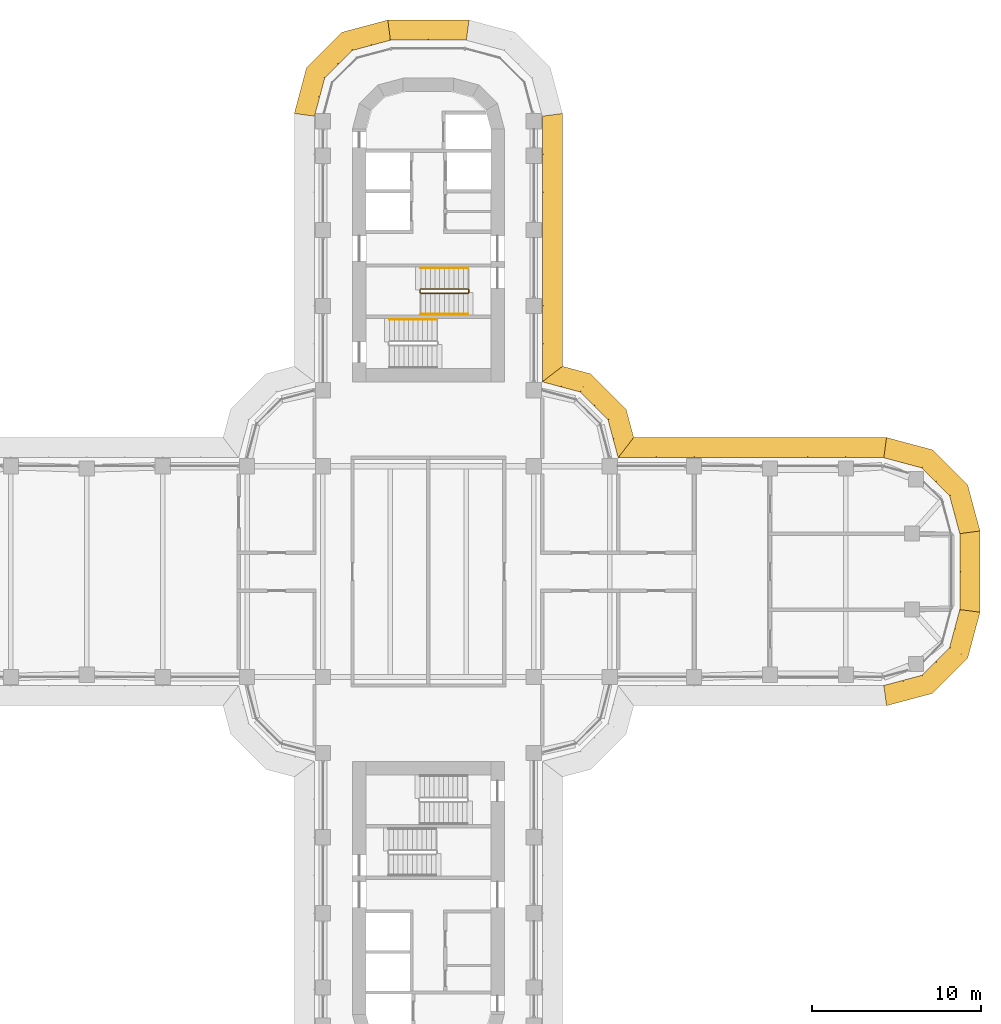
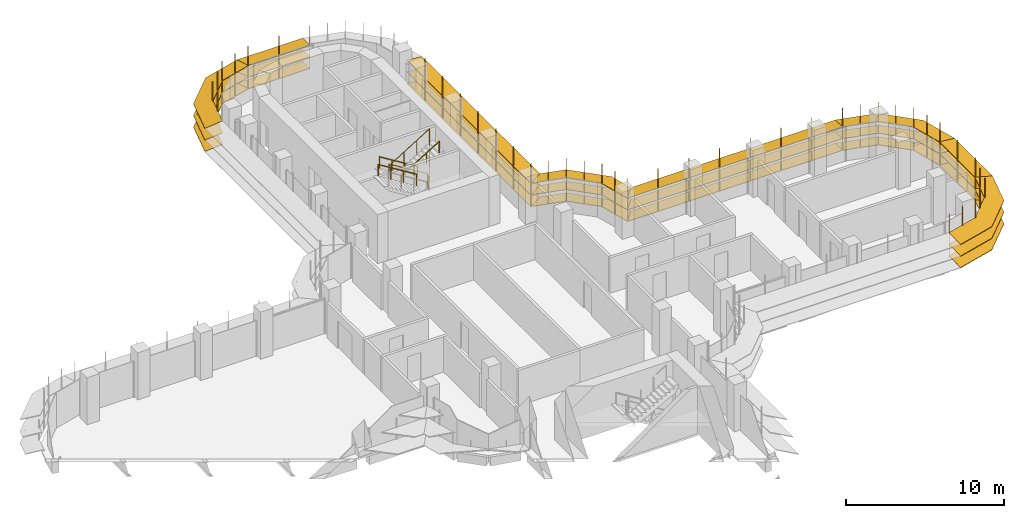
# One storey, part 20 of 21: 8 shading devices, 4 railings.
"""IFC4 building model written with IfcOpenShell, lengths in metres."""

from ifc_helpers import new_model, si_unit, direction, frame, origin, origin_2d, place, context, subcontext, project, spatial, polyline, circle, outline, extrude, faceted_brep, source, transform, mapped, material, type_object, element, save


model = new_model("IFC4")

# Units and contexts
model_context = context("Model", 3, precision=1e-05, world=origin(), true_north=direction((0.0, 1.0)))
body_context = subcontext(model_context, "Body", "Model", "MODEL_VIEW")
ifc_project = project(units=[si_unit("LENGTHUNIT", "METRE"), si_unit("AREAUNIT", "SQUARE_METRE"), si_unit("VOLUMEUNIT", "CUBIC_METRE"), si_unit("PLANEANGLEUNIT", "RADIAN"), si_unit("MASSUNIT", "GRAM", prefix="KILO")], contexts=[model_context])

# Site, building, storey
site_placement = place(None, origin())
site = spatial("IfcSite", under=ifc_project, at=site_placement, CompositionType="ELEMENT")
building_placement = place(site_placement, origin())
building = spatial("IfcBuilding", under=site, at=building_placement, Name="Zarbagh Exchange Tower", CompositionType="ELEMENT")
storey_placement = place(building_placement, frame((0.0, 0.0, 128.39990234375)))
storey = spatial("IfcBuildingStorey", under=building, at=storey_placement, Name="L30", CompositionType="ELEMENT", Elevation=128.39990234375)

# Railings
ifc_material_1 = material(Name="Stainless steel", Category="steel")
railing_type_1 = type_object("IfcRailingType", Name="Stair guard 1100 mm", PredefinedType="GUARDRAIL", material=ifc_material_1)
railing_1_placement = place(storey_placement, frame((-0.449951171875, 16.5, 2.07275390625)))
element("IfcRailing", 1, at=railing_1_placement, inside=storey, type_object=railing_type_1, Name="ST1 stair guard 1", PredefinedType="GUARDRAIL", context=body_context, shape_type="SweptSolid", body=[
    extrude(circle(Radius=0.02392578125, at=origin_2d()), frame((0.0, 0.0, 1.076171875), z_axis=(0.851089632645, 0.0, 0.525020415988), x_axis=(0.0, 1.0, 0.0)), (0.0, 0.0, 1.0), 3.2900390625),
    extrude(circle(Radius=0.02392578125, at=origin_2d()), frame((2.800048828125, 0.0, 2.80322265625), z_axis=(0.013104066473, 0.013168302093, -0.99982742474), x_axis=(-0.708833529934, 0.705375805398, 0.0)), (0.0, 0.0, 1.0), 3.80078125),
    extrude(circle(Radius=0.02392578125, at=origin_2d()), frame((2.849853515625, 0.050048828125, -0.99658203125), z_axis=(0.0, 1.0, 0.0), x_axis=(-1.0, 0.0, 0.0)), (0.0, 0.0, 1.0), 0.14990234375),
    extrude(circle(Radius=0.02392578125, at=origin_2d()), frame((2.849853515625, 0.199951171875, -0.99658203125), z_axis=(-0.266739603011, 0.268047150085, 0.925743328097), x_axis=(-0.708833529934, -0.705375805398, 0.0)), (0.0, 0.0, 1.0), 0.186767578125),
    extrude(circle(Radius=0.02392578125, at=origin_2d()), frame((2.800048828125, 0.25, -0.82373046875), z_axis=(-0.851089632645, 0.0, 0.525020415988), x_axis=(0.0, -1.0, 0.0)), (0.0, 0.0, 1.0), 3.2900390625),
    extrude(circle(Radius=0.02392578125, at=origin_2d()), frame((0.0, 0.25, 0.9033203125), z_axis=(-0.707106781187, -0.707106781187, 0.0), x_axis=(0.707106781187, -0.707106781187, 0.0)), (0.0, 0.0, 1.0), 0.07080078125),
    extrude(circle(Radius=0.02392578125, at=origin_2d()), frame((-0.050048828125, 0.199951171875, 0.9033203125), z_axis=(0.0, -1.0, 0.0), x_axis=(1.0, 0.0, 0.0)), (0.0, 0.0, 1.0), 0.14990234375),
    extrude(circle(Radius=0.02099609375, at=origin_2d()), origin(), (0.0, 0.0, 1.0), 1.052001953125),
    extrude(circle(Radius=0.02099609375, at=origin_2d()), frame((0.933349609375, 0.0, 0.57568359375)), (0.0, 0.0, 1.0), 1.052001953125),
    extrude(circle(Radius=0.02099609375, at=origin_2d()), frame((1.86669921875, 0.0, 1.151611328125)), (0.0, 0.0, 1.0), 1.052001953125),
    extrude(circle(Radius=0.02099609375, at=origin_2d()), frame((2.800048828125, 0.0, 1.727294921875)), (0.0, 0.0, 1.0), 1.052001953125),
    extrude(circle(Radius=0.02099609375, at=origin_2d()), frame((2.8125, 0.012451171875, 0.77734375)), (0.0, 0.0, 1.0), 1.052001953125),
    extrude(circle(Radius=0.02099609375, at=origin_2d()), frame((2.824951171875, 0.02490234375, -0.1728515625)), (0.0, 0.0, 1.0), 1.052001953125),
    extrude(circle(Radius=0.02099609375, at=origin_2d()), frame((2.83740234375, 0.03759765625, -1.122802734375)), (0.0, 0.0, 1.0), 1.052001953125),
    extrude(circle(Radius=0.02099609375, at=origin_2d()), frame((2.849853515625, 0.050048828125, -2.07275390625)), (0.0, 0.0, 1.0), 1.052001953125),
    extrude(circle(Radius=0.02099609375, at=origin_2d()), frame((2.849853515625, 0.199951171875, -2.07275390625)), (0.0, 0.0, 1.0), 1.052001953125),
    extrude(circle(Radius=0.02099609375, at=origin_2d()), frame((2.800048828125, 0.25, -1.89990234375)), (0.0, 0.0, 1.0), 1.052001953125),
    extrude(circle(Radius=0.02099609375, at=origin_2d()), frame((1.86669921875, 0.25, -1.32421875)), (0.0, 0.0, 1.0), 1.052001953125),
    extrude(circle(Radius=0.02099609375, at=origin_2d()), frame((0.933349609375, 0.25, -0.748291015625)), (0.0, 0.0, 1.0), 1.052001953125),
    extrude(circle(Radius=0.02099609375, at=origin_2d()), frame((0.0, 0.25, -0.172607421875)), (0.0, 0.0, 1.0), 1.052001953125),
    extrude(circle(Radius=0.02099609375, at=origin_2d()), frame((-0.050048828125, 0.199951171875, -0.172607421875)), (0.0, 0.0, 1.0), 1.052001953125),
    extrude(circle(Radius=0.02099609375, at=origin_2d()), frame((-0.050048828125, 0.050048828125, -0.172607421875)), (0.0, 0.0, 1.0), 1.052001953125),
])
railing_type_2 = type_object("IfcRailingType", Name="Stair handrail 900 mm", PredefinedType="HANDRAIL", material=ifc_material_1)
railing_2_placement = place(storey_placement, frame((2.35009765625, 18.0, 0.1728515625)))
element("IfcRailing", 2, at=railing_2_placement, inside=storey, type_object=railing_type_2, Name="ST1 stair handrail 1", PredefinedType="HANDRAIL", context=body_context, shape_type="SweptSolid", body=[
    extrude(circle(Radius=0.02392578125, at=origin_2d()), frame((0.0, 0.0, 0.8759765625), z_axis=(-0.851089632645, 0.0, 0.525020415988), x_axis=(0.0, -1.0, 0.0)), (0.0, 0.0, 1.0), 3.2900390625),
    extrude(circle(Radius=0.02099609375, at=origin_2d()), origin(), (0.0, 0.0, 1.0), 0.851806640625),
    extrude(circle(Radius=0.02099609375, at=origin_2d()), frame((-0.933349609375, 0.0, 0.57568359375)), (0.0, 0.0, 1.0), 0.851806640625),
    extrude(circle(Radius=0.02099609375, at=origin_2d()), frame((-1.86669921875, 0.0, 1.151611328125)), (0.0, 0.0, 1.0), 0.851806640625),
    extrude(circle(Radius=0.02099609375, at=origin_2d()), frame((-2.800048828125, 0.0, 1.727294921875)), (0.0, 0.0, 1.0), 0.851806640625),
])
railing_3_placement = place(storey_placement, frame((-0.449951171875, 15.25, 2.07275390625)))
element("IfcRailing", 3, at=railing_3_placement, inside=storey, type_object=railing_type_2, Name="ST1 stair handrail 2", PredefinedType="HANDRAIL", context=body_context, shape_type="SweptSolid", body=[
    extrude(circle(Radius=0.02392578125, at=origin_2d()), frame((0.0, 0.0, 0.8759765625), z_axis=(0.851089632645, 0.0, 0.525020415988), x_axis=(0.0, 1.0, 0.0)), (0.0, 0.0, 1.0), 3.2900390625),
    extrude(circle(Radius=0.02099609375, at=origin_2d()), origin(), (0.0, 0.0, 1.0), 0.851806640625),
    extrude(circle(Radius=0.02099609375, at=origin_2d()), frame((0.933349609375, 0.0, 0.57568359375)), (0.0, 0.0, 1.0), 0.851806640625),
    extrude(circle(Radius=0.02099609375, at=origin_2d()), frame((1.86669921875, 0.0, 1.151611328125)), (0.0, 0.0, 1.0), 0.851806640625),
    extrude(circle(Radius=0.02099609375, at=origin_2d()), frame((2.800048828125, 0.0, 1.727294921875)), (0.0, 0.0, 1.0), 0.851806640625),
])
railing_4_placement = place(storey_placement, frame((0.5, 14.949951171875, 2.07275390625)))
element("IfcRailing", 4, at=railing_4_placement, inside=storey, type_object=railing_type_2, Name="ST2 stair handrail 2", PredefinedType="HANDRAIL", context=body_context, shape_type="SweptSolid", body=[
    extrude(circle(Radius=0.02392578125, at=origin_2d()), frame((0.0, 0.0, 0.8759765625), z_axis=(-0.851089632645, 0.0, 0.525020415988), x_axis=(0.0, -1.0, 0.0)), (0.0, 0.0, 1.0), 3.2900390625),
    extrude(circle(Radius=0.02099609375, at=origin_2d()), origin(), (0.0, 0.0, 1.0), 0.851806640625),
    extrude(circle(Radius=0.02099609375, at=origin_2d()), frame((-0.933349609375, 0.0, 0.57568359375)), (0.0, 0.0, 1.0), 0.851806640625),
    extrude(circle(Radius=0.02099609375, at=origin_2d()), frame((-1.86669921875, 0.0, 1.151611328125)), (0.0, 0.0, 1.0), 0.851806640625),
    extrude(circle(Radius=0.02099609375, at=origin_2d()), frame((-2.800048828125, 0.0, 1.727294921875)), (0.0, 0.0, 1.0), 0.851806640625),
])

# Shading devices
ifc_material_2 = material(Name="Anodised aluminium blades and brackets", Category="aluminium")
shading_device_type = type_object("IfcShadingDeviceType", Name="SUNSHADE louvre band, 11.25 degree blades", PredefinedType="JALOUSIE", material=ifc_material_2)
shared_shape_1 = source(origin(), body_context, "Body", "Brep", [
    faceted_brep([(0.0, 0.0, 0.0), (0.0, 0.0, -0.040771484375), (-0.157958984375, -1.199951171875, -0.279541015625), (-0.157958984375, -1.199951171875, -0.23876953125), (2.65087890625, -1.199951171875, -0.23876953125), (2.65087890625, -1.199951171875, -0.279541015625), (2.329345703125, 0.0, -0.040771484375), (2.329345703125, 0.0, 0.0)], [[[0, 1, 2, 3]], [[4, 5, 6, 7]], [[0, 7, 6, 1]], [[1, 6, 5, 2]], [[2, 5, 4, 3]], [[3, 4, 7, 0]]]),
])
shared_shape_2 = source(origin(), body_context, "Body", "Brep", [
    faceted_brep([(0.0, 0.0, 0.0), (0.0, 0.0, -0.040771484375), (-0.321533203125, -1.199951171875, -0.279541015625), (-0.321533203125, -1.199951171875, -0.23876953125), (2.65087890625, -1.199951171875, -0.23876953125), (2.65087890625, -1.199951171875, -0.279541015625), (2.329345703125, 0.0, -0.040771484375), (2.329345703125, 0.0, 0.0)], [[[0, 1, 2, 3]], [[4, 5, 6, 7]], [[0, 7, 6, 1]], [[1, 6, 5, 2]], [[2, 5, 4, 3]], [[3, 4, 7, 0]]]),
])
shared_shape_3 = source(origin(), body_context, "Body", "Brep", [
    faceted_brep([(0.0, 0.0, 0.0), (0.0, 0.0, -0.040771484375), (-0.321533203125, -1.199951171875, -0.279541015625), (-0.321533203125, -1.199951171875, -0.23876953125), (2.4873046875, -1.199951171875, -0.23876953125), (2.4873046875, -1.199951171875, -0.279541015625), (2.329345703125, 0.0, -0.040771484375), (2.329345703125, 0.0, 0.0)], [[[0, 1, 2, 3]], [[4, 5, 6, 7]], [[0, 7, 6, 1]], [[1, 6, 5, 2]], [[2, 5, 4, 3]], [[3, 4, 7, 0]]]),
])
shared_shape_4 = source(origin(), body_context, "Body", "SweptSolid", [
    extrude(outline(polyline([(0.0, -0.012451171875), (0.06005859375, -0.012451171875), (0.06005859375, 0.012451171875), (0.0, 0.012451171875), (0.0, -0.012451171875)])), origin(), (0.0, 0.0, 1.0), 3.350830078125),
])
placement = place(storey_placement, origin())
element("IfcShadingDevice", 5, at=placement, inside=storey, type_object=shading_device_type, Name="SS31 sunshade band", PredefinedType="JALOUSIE", context=body_context, shape_type="MappedRepresentation", body=[
    mapped(shared_shape_1, transform((27.0, -6.75, 2.300048828125), x_axis=(0.965924289636, 0.258824779902, 0.0), y_axis=(-0.258824779902, 0.965924289636, 0.0), z_axis=(0.0, 0.0, 1.0))),
    mapped(shared_shape_1, transform((27.0, -6.75, 1.400146484375), x_axis=(0.965924289636, 0.258824779902, 0.0), y_axis=(-0.258824779902, 0.965924289636, 0.0), z_axis=(0.0, 0.0, 1.0))),
    mapped(shared_shape_1, transform((27.0, -6.75, 0.5), x_axis=(0.965924289636, 0.258824779902, 0.0), y_axis=(-0.258824779902, 0.965924289636, 0.0), z_axis=(0.0, 0.0, 1.0))),
    mapped(shared_shape_2, transform((29.25, -6.147216796875, 2.300048828125), x_axis=(0.707106781187, 0.707106781187, 0.0), y_axis=(-0.707106781187, 0.707106781187, 0.0), z_axis=(0.0, 0.0, 1.0))),
    mapped(shared_shape_2, transform((29.25, -6.147216796875, 1.400146484375), x_axis=(0.707106781187, 0.707106781187, 0.0), y_axis=(-0.707106781187, 0.707106781187, 0.0), z_axis=(0.0, 0.0, 1.0))),
    mapped(shared_shape_2, transform((29.25, -6.147216796875, 0.5), x_axis=(0.707106781187, 0.707106781187, 0.0), y_axis=(-0.707106781187, 0.707106781187, 0.0), z_axis=(0.0, 0.0, 1.0))),
    mapped(shared_shape_3, transform((30.897216796875, -4.5, 2.300048828125), x_axis=(0.258824779902, 0.965924289636, 0.0), y_axis=(-0.965924289636, 0.258824779902, 0.0), z_axis=(0.0, 0.0, 1.0))),
    mapped(shared_shape_3, transform((30.897216796875, -4.5, 1.400146484375), x_axis=(0.258824779902, 0.965924289636, 0.0), y_axis=(-0.965924289636, 0.258824779902, 0.0), z_axis=(0.0, 0.0, 1.0))),
    mapped(shared_shape_3, transform((30.897216796875, -4.5, 0.5), x_axis=(0.258824779902, 0.965924289636, 0.0), y_axis=(-0.965924289636, 0.258824779902, 0.0), z_axis=(0.0, 0.0, 1.0))),
    mapped(shared_shape_4, transform((27.0, -6.75, 0.42919921875), x_axis=(0.130529263012, -0.991444457092, 0.0), y_axis=(0.991444457092, 0.130529263012, 0.0), z_axis=(0.0, 0.0, 1.0))),
    mapped(shared_shape_4, transform((28.125, -6.448486328125, 0.42919921875), x_axis=(0.258825058029, -0.96592421511, 0.0), y_axis=(0.96592421511, 0.258825058029, 0.0), z_axis=(0.0, 0.0, 1.0))),
    mapped(shared_shape_4, transform((29.25, -6.147216796875, 0.42919921875), x_axis=(0.50000275701, -0.866023812018, 0.0), y_axis=(0.866023812018, 0.50000275701, 0.0), z_axis=(0.0, 0.0, 1.0))),
    mapped(shared_shape_4, transform((30.073486328125, -5.323486328125, 0.42919921875), x_axis=(0.707106781187, -0.707106781187, 0.0), y_axis=(0.707106781187, 0.707106781187, 0.0), z_axis=(0.0, 0.0, 1.0))),
    mapped(shared_shape_4, transform((30.897216796875, -4.5, 0.42919921875), x_axis=(0.866023812018, -0.50000275701, 0.0), y_axis=(0.50000275701, 0.866023812018, 0.0), z_axis=(0.0, 0.0, 1.0))),
    mapped(shared_shape_4, transform((31.198486328125, -3.375, 0.42919921875), x_axis=(0.96592421511, -0.258825058029, 0.0), y_axis=(0.258825058029, 0.96592421511, 0.0), z_axis=(0.0, 0.0, 1.0))),
])
element("IfcShadingDevice", 6, at=placement, inside=storey, type_object=shading_device_type, Name="SS33 sunshade band", PredefinedType="JALOUSIE", context=body_context, shape_type="MappedRepresentation", body=[
    mapped(shared_shape_1, transform((31.5, 2.25, 2.300048828125), x_axis=(-0.258824779902, 0.965924289636, 0.0), y_axis=(-0.965924289636, -0.258824779902, 0.0), z_axis=(0.0, 0.0, 1.0))),
    mapped(shared_shape_1, transform((31.5, 2.25, 1.400146484375), x_axis=(-0.258824779902, 0.965924289636, 0.0), y_axis=(-0.965924289636, -0.258824779902, 0.0), z_axis=(0.0, 0.0, 1.0))),
    mapped(shared_shape_1, transform((31.5, 2.25, 0.5), x_axis=(-0.258824779902, 0.965924289636, 0.0), y_axis=(-0.965924289636, -0.258824779902, 0.0), z_axis=(0.0, 0.0, 1.0))),
    mapped(shared_shape_2, transform((30.897216796875, 4.5, 2.300048828125), x_axis=(-0.707106781187, 0.707106781187, 0.0), y_axis=(-0.707106781187, -0.707106781187, 0.0), z_axis=(0.0, 0.0, 1.0))),
    mapped(shared_shape_2, transform((30.897216796875, 4.5, 1.400146484375), x_axis=(-0.707106781187, 0.707106781187, 0.0), y_axis=(-0.707106781187, -0.707106781187, 0.0), z_axis=(0.0, 0.0, 1.0))),
    mapped(shared_shape_2, transform((30.897216796875, 4.5, 0.5), x_axis=(-0.707106781187, 0.707106781187, 0.0), y_axis=(-0.707106781187, -0.707106781187, 0.0), z_axis=(0.0, 0.0, 1.0))),
    mapped(shared_shape_3, transform((29.25, 6.147216796875, 2.300048828125), x_axis=(-0.965924289636, 0.258824779902, 0.0), y_axis=(-0.258824779902, -0.965924289636, 0.0), z_axis=(0.0, 0.0, 1.0))),
    mapped(shared_shape_3, transform((29.25, 6.147216796875, 1.400146484375), x_axis=(-0.965924289636, 0.258824779902, 0.0), y_axis=(-0.258824779902, -0.965924289636, 0.0), z_axis=(0.0, 0.0, 1.0))),
    mapped(shared_shape_3, transform((29.25, 6.147216796875, 0.5), x_axis=(-0.965924289636, 0.258824779902, 0.0), y_axis=(-0.258824779902, -0.965924289636, 0.0), z_axis=(0.0, 0.0, 1.0))),
    mapped(shared_shape_4, transform((31.5, 2.25, 0.42919921875), x_axis=(0.991444457092, 0.130529263012, 0.0), y_axis=(-0.130529263012, 0.991444457092, 0.0), z_axis=(0.0, 0.0, 1.0))),
    mapped(shared_shape_4, transform((31.198486328125, 3.375, 0.42919921875), x_axis=(0.96592421511, 0.258825058029, 0.0), y_axis=(-0.258825058029, 0.96592421511, 0.0), z_axis=(0.0, 0.0, 1.0))),
    mapped(shared_shape_4, transform((30.897216796875, 4.5, 0.42919921875), x_axis=(0.866023812018, 0.50000275701, 0.0), y_axis=(-0.50000275701, 0.866023812018, 0.0), z_axis=(0.0, 0.0, 1.0))),
    mapped(shared_shape_4, transform((30.073486328125, 5.323486328125, 0.42919921875), x_axis=(0.707106781187, 0.707106781187, 0.0), y_axis=(-0.707106781187, 0.707106781187, 0.0), z_axis=(0.0, 0.0, 1.0))),
    mapped(shared_shape_4, transform((29.25, 6.147216796875, 0.42919921875), x_axis=(0.50000275701, 0.866023812018, 0.0), y_axis=(-0.866023812018, 0.50000275701, 0.0), z_axis=(0.0, 0.0, 1.0))),
    mapped(shared_shape_4, transform((28.125, 6.448486328125, 0.42919921875), x_axis=(0.258825058029, 0.96592421511, 0.0), y_axis=(-0.96592421511, 0.258825058029, 0.0), z_axis=(0.0, 0.0, 1.0))),
])
element("IfcShadingDevice", 7, at=placement, inside=storey, type_object=shading_device_type, Name="SS28 sunshade band", PredefinedType="JALOUSIE", context=body_context, shape_type="MappedRepresentation", body=[
    mapped(shared_shape_1, transform((-2.25, 31.5, 2.300048828125), x_axis=(-0.965924289636, -0.258824779902, 0.0), y_axis=(0.258824779902, -0.965924289636, 0.0), z_axis=(0.0, 0.0, 1.0))),
    mapped(shared_shape_1, transform((-2.25, 31.5, 1.400146484375), x_axis=(-0.965924289636, -0.258824779902, 0.0), y_axis=(0.258824779902, -0.965924289636, 0.0), z_axis=(0.0, 0.0, 1.0))),
    mapped(shared_shape_1, transform((-2.25, 31.5, 0.5), x_axis=(-0.965924289636, -0.258824779902, 0.0), y_axis=(0.258824779902, -0.965924289636, 0.0), z_axis=(0.0, 0.0, 1.0))),
    mapped(shared_shape_2, transform((-4.5, 30.897216796875, 2.300048828125), x_axis=(-0.707106781187, -0.707106781187, 0.0), y_axis=(0.707106781187, -0.707106781187, 0.0), z_axis=(0.0, 0.0, 1.0))),
    mapped(shared_shape_2, transform((-4.5, 30.897216796875, 1.400146484375), x_axis=(-0.707106781187, -0.707106781187, 0.0), y_axis=(0.707106781187, -0.707106781187, 0.0), z_axis=(0.0, 0.0, 1.0))),
    mapped(shared_shape_2, transform((-4.5, 30.897216796875, 0.5), x_axis=(-0.707106781187, -0.707106781187, 0.0), y_axis=(0.707106781187, -0.707106781187, 0.0), z_axis=(0.0, 0.0, 1.0))),
    mapped(shared_shape_3, transform((-6.147216796875, 29.25, 2.300048828125), x_axis=(-0.258824779902, -0.965924289636, 0.0), y_axis=(0.965924289636, -0.258824779902, 0.0), z_axis=(0.0, 0.0, 1.0))),
    mapped(shared_shape_3, transform((-6.147216796875, 29.25, 1.400146484375), x_axis=(-0.258824779902, -0.965924289636, 0.0), y_axis=(0.965924289636, -0.258824779902, 0.0), z_axis=(0.0, 0.0, 1.0))),
    mapped(shared_shape_3, transform((-6.147216796875, 29.25, 0.5), x_axis=(-0.258824779902, -0.965924289636, 0.0), y_axis=(0.965924289636, -0.258824779902, 0.0), z_axis=(0.0, 0.0, 1.0))),
    mapped(shared_shape_4, transform((-2.25, 31.5, 0.42919921875), x_axis=(-0.130529263012, 0.991444457092, 0.0), y_axis=(-0.991444457092, -0.130529263012, 0.0), z_axis=(0.0, 0.0, 1.0))),
    mapped(shared_shape_4, transform((-3.375, 31.198486328125, 0.42919921875), x_axis=(-0.258825058029, 0.96592421511, 0.0), y_axis=(-0.96592421511, -0.258825058029, 0.0), z_axis=(0.0, 0.0, 1.0))),
    mapped(shared_shape_4, transform((-4.5, 30.897216796875, 0.42919921875), x_axis=(-0.50000275701, 0.866023812018, 0.0), y_axis=(-0.866023812018, -0.50000275701, 0.0), z_axis=(0.0, 0.0, 1.0))),
    mapped(shared_shape_4, transform((-5.323486328125, 30.073486328125, 0.42919921875), x_axis=(-0.707106781187, 0.707106781187, 0.0), y_axis=(-0.707106781187, -0.707106781187, 0.0), z_axis=(0.0, 0.0, 1.0))),
    mapped(shared_shape_4, transform((-6.147216796875, 29.25, 0.42919921875), x_axis=(-0.866023812018, 0.50000275701, 0.0), y_axis=(-0.50000275701, -0.866023812018, 0.0), z_axis=(0.0, 0.0, 1.0))),
    mapped(shared_shape_4, transform((-6.448486328125, 28.125, 0.42919921875), x_axis=(-0.96592421511, 0.258825058029, 0.0), y_axis=(-0.258825058029, -0.96592421511, 0.0), z_axis=(0.0, 0.0, 1.0))),
])
shared_shape_5 = source(origin(), body_context, "Body", "Brep", [
    faceted_brep([(0.0, 0.0, 0.0), (0.0, 0.0, -0.040771484375), (0.9208984375, -1.199951171875, -0.279541015625), (0.9208984375, -1.199951171875, -0.23876953125), (2.65087890625, -1.199951171875, -0.23876953125), (2.65087890625, -1.199951171875, -0.279541015625), (2.329345703125, 0.0, -0.040771484375), (2.329345703125, 0.0, 0.0)], [[[0, 1, 2, 3]], [[4, 5, 6, 7]], [[0, 7, 6, 1]], [[1, 6, 5, 2]], [[2, 5, 4, 3]], [[3, 4, 7, 0]]]),
])
shared_shape_6 = source(origin(), body_context, "Body", "Brep", [
    faceted_brep([(0.0, 0.0, 0.0), (0.0, 0.0, -0.040771484375), (-0.321533203125, -1.199951171875, -0.279541015625), (-0.321533203125, -1.199951171875, -0.23876953125), (1.40869140625, -1.199951171875, -0.23876953125), (1.40869140625, -1.199951171875, -0.279541015625), (2.329345703125, 0.0, -0.040771484375), (2.329345703125, 0.0, 0.0)], [[[0, 1, 2, 3]], [[4, 5, 6, 7]], [[0, 7, 6, 1]], [[1, 6, 5, 2]], [[2, 5, 4, 3]], [[3, 4, 7, 0]]]),
])
element("IfcShadingDevice", 8, at=placement, inside=storey, type_object=shading_device_type, Name="SS09 sunshade band", PredefinedType="JALOUSIE", context=body_context, shape_type="MappedRepresentation", body=[
    mapped(shared_shape_5, transform((11.25, 6.75, 2.300048828125), x_axis=(-0.258824779902, 0.965924289636, 0.0), y_axis=(-0.965924289636, -0.258824779902, 0.0), z_axis=(0.0, 0.0, 1.0))),
    mapped(shared_shape_5, transform((11.25, 6.75, 1.400146484375), x_axis=(-0.258824779902, 0.965924289636, 0.0), y_axis=(-0.965924289636, -0.258824779902, 0.0), z_axis=(0.0, 0.0, 1.0))),
    mapped(shared_shape_5, transform((11.25, 6.75, 0.5), x_axis=(-0.258824779902, 0.965924289636, 0.0), y_axis=(-0.965924289636, -0.258824779902, 0.0), z_axis=(0.0, 0.0, 1.0))),
    mapped(shared_shape_2, transform((10.647216796875, 9.0, 2.300048828125), x_axis=(-0.707106781187, 0.707106781187, 0.0), y_axis=(-0.707106781187, -0.707106781187, 0.0), z_axis=(0.0, 0.0, 1.0))),
    mapped(shared_shape_2, transform((10.647216796875, 9.0, 1.400146484375), x_axis=(-0.707106781187, 0.707106781187, 0.0), y_axis=(-0.707106781187, -0.707106781187, 0.0), z_axis=(0.0, 0.0, 1.0))),
    mapped(shared_shape_2, transform((10.647216796875, 9.0, 0.5), x_axis=(-0.707106781187, 0.707106781187, 0.0), y_axis=(-0.707106781187, -0.707106781187, 0.0), z_axis=(0.0, 0.0, 1.0))),
    mapped(shared_shape_6, transform((9.0, 10.647216796875, 2.300048828125), x_axis=(-0.965924289636, 0.258824779902, 0.0), y_axis=(-0.258824779902, -0.965924289636, 0.0), z_axis=(0.0, 0.0, 1.0))),
    mapped(shared_shape_6, transform((9.0, 10.647216796875, 1.400146484375), x_axis=(-0.965924289636, 0.258824779902, 0.0), y_axis=(-0.258824779902, -0.965924289636, 0.0), z_axis=(0.0, 0.0, 1.0))),
    mapped(shared_shape_6, transform((9.0, 10.647216796875, 0.5), x_axis=(-0.965924289636, 0.258824779902, 0.0), y_axis=(-0.258824779902, -0.965924289636, 0.0), z_axis=(0.0, 0.0, 1.0))),
    mapped(shared_shape_4, transform((11.25, 6.75, 0.42919921875), x_axis=(0.608758892, 0.793355287, 0.0), y_axis=(-0.793355287, 0.608758892, 0.0), z_axis=(0.0, 0.0, 1.0))),
    mapped(shared_shape_4, transform((10.948486328125, 7.875, 0.42919921875), x_axis=(0.96592421511, 0.258825058029, 0.0), y_axis=(-0.258825058029, 0.96592421511, 0.0), z_axis=(0.0, 0.0, 1.0))),
    mapped(shared_shape_4, transform((10.647216796875, 9.0, 0.42919921875), x_axis=(0.866023812018, 0.50000275701, 0.0), y_axis=(-0.50000275701, 0.866023812018, 0.0), z_axis=(0.0, 0.0, 1.0))),
    mapped(shared_shape_4, transform((9.823486328125, 9.823486328125, 0.42919921875), x_axis=(0.707106781187, 0.707106781187, 0.0), y_axis=(-0.707106781187, 0.707106781187, 0.0), z_axis=(0.0, 0.0, 1.0))),
    mapped(shared_shape_4, transform((9.0, 10.647216796875, 0.42919921875), x_axis=(0.50000275701, 0.866023812018, 0.0), y_axis=(-0.866023812018, 0.50000275701, 0.0), z_axis=(0.0, 0.0, 1.0))),
    mapped(shared_shape_4, transform((7.875, 10.948486328125, 0.42919921875), x_axis=(0.258825058029, 0.96592421511, 0.0), y_axis=(-0.96592421511, 0.258825058029, 0.0), z_axis=(0.0, 0.0, 1.0))),
])
shared_shape_7 = source(origin(), body_context, "Body", "Brep", [
    faceted_brep([(0.0, 0.0, 0.0), (0.0, 0.0, -0.040771484375), (-0.157958984375, -1.199951171875, -0.279541015625), (-0.157958984375, -1.199951171875, -0.23876953125), (4.657958984375, -1.199951171875, -0.23876953125), (4.657958984375, -1.199951171875, -0.279541015625), (4.5, 0.0, -0.040771484375), (4.5, 0.0, 0.0)], [[[0, 1, 2, 3]], [[4, 5, 6, 7]], [[0, 7, 6, 1]], [[1, 6, 5, 2]], [[2, 5, 4, 3]], [[3, 4, 7, 0]]]),
])
element("IfcShadingDevice", 9, at=placement, inside=storey, type_object=shading_device_type, Name="SS32 sunshade band", PredefinedType="JALOUSIE", context=body_context, shape_type="MappedRepresentation", body=[
    mapped(shared_shape_7, transform((31.5, -2.25, 2.300048828125), x_axis=(0.0, 1.0, 0.0), y_axis=(-1.0, 0.0, 0.0), z_axis=(0.0, 0.0, 1.0))),
    mapped(shared_shape_7, transform((31.5, -2.25, 1.400146484375), x_axis=(0.0, 1.0, 0.0), y_axis=(-1.0, 0.0, 0.0), z_axis=(0.0, 0.0, 1.0))),
    mapped(shared_shape_7, transform((31.5, -2.25, 0.5), x_axis=(0.0, 1.0, 0.0), y_axis=(-1.0, 0.0, 0.0), z_axis=(0.0, 0.0, 1.0))),
    mapped(shared_shape_4, transform((31.5, -2.25, 0.42919921875), x_axis=(0.991444457092, -0.130529263012, 0.0), y_axis=(0.130529263012, 0.991444457092, 0.0), z_axis=(0.0, 0.0, 1.0))),
    mapped(shared_shape_4, transform((31.5, 0.0, 0.42919921875), x_axis=(1.0, 0.0, 0.0), y_axis=(0.0, 1.0, 0.0), z_axis=(0.0, 0.0, 1.0))),
])
shared_shape_8 = source(origin(), body_context, "Body", "Brep", [
    faceted_brep([(0.0, 0.0, 0.0), (0.0, 0.0, -0.040771484375), (-0.157958984375, -1.199951171875, -0.279541015625), (-0.157958984375, -1.199951171875, -0.23876953125), (14.8291015625, -1.199951171875, -0.23876953125), (14.8291015625, -1.199951171875, -0.279541015625), (15.75, 0.0, -0.040771484375), (15.75, 0.0, 0.0)], [[[0, 1, 2, 3]], [[4, 5, 6, 7]], [[0, 7, 6, 1]], [[1, 6, 5, 2]], [[2, 5, 4, 3]], [[3, 4, 7, 0]]]),
])
element("IfcShadingDevice", 10, at=placement, inside=storey, type_object=shading_device_type, Name="SS34 sunshade band", PredefinedType="JALOUSIE", context=body_context, shape_type="MappedRepresentation", body=[
    mapped(shared_shape_8, transform((27.0, 6.75, 2.300048828125), x_axis=(-1.0, 0.0, 0.0), y_axis=(0.0, -1.0, 0.0), z_axis=(0.0, 0.0, 1.0))),
    mapped(shared_shape_8, transform((27.0, 6.75, 1.400146484375), x_axis=(-1.0, 0.0, 0.0), y_axis=(0.0, -1.0, 0.0), z_axis=(0.0, 0.0, 1.0))),
    mapped(shared_shape_8, transform((27.0, 6.75, 0.5), x_axis=(-1.0, 0.0, 0.0), y_axis=(0.0, -1.0, 0.0), z_axis=(0.0, 0.0, 1.0))),
    mapped(shared_shape_4, transform((27.0, 6.75, 0.42919921875), x_axis=(0.130529263012, 0.991444457092, 0.0), y_axis=(-0.991444457092, 0.130529263012, 0.0), z_axis=(0.0, 0.0, 1.0))),
    mapped(shared_shape_4, transform((24.75, 6.75, 0.42919921875), x_axis=(0.0, 1.0, 0.0), y_axis=(-1.0, 0.0, 0.0), z_axis=(0.0, 0.0, 1.0))),
    mapped(shared_shape_4, transform((22.5, 6.75, 0.42919921875), x_axis=(0.0, 1.0, 0.0), y_axis=(-1.0, 0.0, 0.0), z_axis=(0.0, 0.0, 1.0))),
    mapped(shared_shape_4, transform((20.25, 6.75, 0.42919921875), x_axis=(0.0, 1.0, 0.0), y_axis=(-1.0, 0.0, 0.0), z_axis=(0.0, 0.0, 1.0))),
    mapped(shared_shape_4, transform((18.0, 6.75, 0.42919921875), x_axis=(0.0, 1.0, 0.0), y_axis=(-1.0, 0.0, 0.0), z_axis=(0.0, 0.0, 1.0))),
    mapped(shared_shape_4, transform((15.75, 6.75, 0.42919921875), x_axis=(0.0, 1.0, 0.0), y_axis=(-1.0, 0.0, 0.0), z_axis=(0.0, 0.0, 1.0))),
    mapped(shared_shape_4, transform((13.5, 6.75, 0.42919921875), x_axis=(0.0, 1.0, 0.0), y_axis=(-1.0, 0.0, 0.0), z_axis=(0.0, 0.0, 1.0))),
])
shared_shape_9 = source(origin(), body_context, "Body", "Brep", [
    faceted_brep([(0.0, 0.0, 0.0), (0.0, 0.0, -0.040771484375), (0.9208984375, -1.199951171875, -0.279541015625), (0.9208984375, -1.199951171875, -0.23876953125), (15.907958984375, -1.199951171875, -0.23876953125), (15.907958984375, -1.199951171875, -0.279541015625), (15.75, 0.0, -0.040771484375), (15.75, 0.0, 0.0)], [[[0, 1, 2, 3]], [[4, 5, 6, 7]], [[0, 7, 6, 1]], [[1, 6, 5, 2]], [[2, 5, 4, 3]], [[3, 4, 7, 0]]]),
])
element("IfcShadingDevice", 11, at=placement, inside=storey, type_object=shading_device_type, Name="SS25 sunshade band", PredefinedType="JALOUSIE", context=body_context, shape_type="MappedRepresentation", body=[
    mapped(shared_shape_9, transform((6.75, 11.25, 2.300048828125), x_axis=(0.0, 1.0, 0.0), y_axis=(-1.0, 0.0, 0.0), z_axis=(0.0, 0.0, 1.0))),
    mapped(shared_shape_9, transform((6.75, 11.25, 1.400146484375), x_axis=(0.0, 1.0, 0.0), y_axis=(-1.0, 0.0, 0.0), z_axis=(0.0, 0.0, 1.0))),
    mapped(shared_shape_9, transform((6.75, 11.25, 0.5), x_axis=(0.0, 1.0, 0.0), y_axis=(-1.0, 0.0, 0.0), z_axis=(0.0, 0.0, 1.0))),
    mapped(shared_shape_4, transform((6.75, 11.25, 0.42919921875), x_axis=(0.793355287, 0.608758892, 0.0), y_axis=(-0.608758892, 0.793355287, 0.0), z_axis=(0.0, 0.0, 1.0))),
    mapped(shared_shape_4, transform((6.75, 13.5, 0.42919921875), x_axis=(1.0, 0.0, 0.0), y_axis=(0.0, 1.0, 0.0), z_axis=(0.0, 0.0, 1.0))),
    mapped(shared_shape_4, transform((6.75, 15.75, 0.42919921875), x_axis=(1.0, 0.0, 0.0), y_axis=(0.0, 1.0, 0.0), z_axis=(0.0, 0.0, 1.0))),
    mapped(shared_shape_4, transform((6.75, 18.0, 0.42919921875), x_axis=(1.0, 0.0, 0.0), y_axis=(0.0, 1.0, 0.0), z_axis=(0.0, 0.0, 1.0))),
    mapped(shared_shape_4, transform((6.75, 20.25, 0.42919921875), x_axis=(1.0, 0.0, 0.0), y_axis=(0.0, 1.0, 0.0), z_axis=(0.0, 0.0, 1.0))),
    mapped(shared_shape_4, transform((6.75, 22.5, 0.42919921875), x_axis=(1.0, 0.0, 0.0), y_axis=(0.0, 1.0, 0.0), z_axis=(0.0, 0.0, 1.0))),
    mapped(shared_shape_4, transform((6.75, 24.75, 0.42919921875), x_axis=(1.0, 0.0, 0.0), y_axis=(0.0, 1.0, 0.0), z_axis=(0.0, 0.0, 1.0))),
])
element("IfcShadingDevice", 12, at=placement, inside=storey, type_object=shading_device_type, Name="SS27 sunshade band", PredefinedType="JALOUSIE", context=body_context, shape_type="MappedRepresentation", body=[
    mapped(shared_shape_7, transform((2.25, 31.5, 2.300048828125), x_axis=(-1.0, 0.0, 0.0), y_axis=(0.0, -1.0, 0.0), z_axis=(0.0, 0.0, 1.0))),
    mapped(shared_shape_7, transform((2.25, 31.5, 1.400146484375), x_axis=(-1.0, 0.0, 0.0), y_axis=(0.0, -1.0, 0.0), z_axis=(0.0, 0.0, 1.0))),
    mapped(shared_shape_7, transform((2.25, 31.5, 0.5), x_axis=(-1.0, 0.0, 0.0), y_axis=(0.0, -1.0, 0.0), z_axis=(0.0, 0.0, 1.0))),
    mapped(shared_shape_4, transform((2.25, 31.5, 0.42919921875), x_axis=(0.130529263012, 0.991444457092, 0.0), y_axis=(-0.991444457092, 0.130529263012, 0.0), z_axis=(0.0, 0.0, 1.0))),
    mapped(shared_shape_4, transform((0.0, 31.5, 0.42919921875), x_axis=(0.0, 1.0, 0.0), y_axis=(-1.0, 0.0, 0.0), z_axis=(0.0, 0.0, 1.0))),
])

save(model, "model.ifc")
